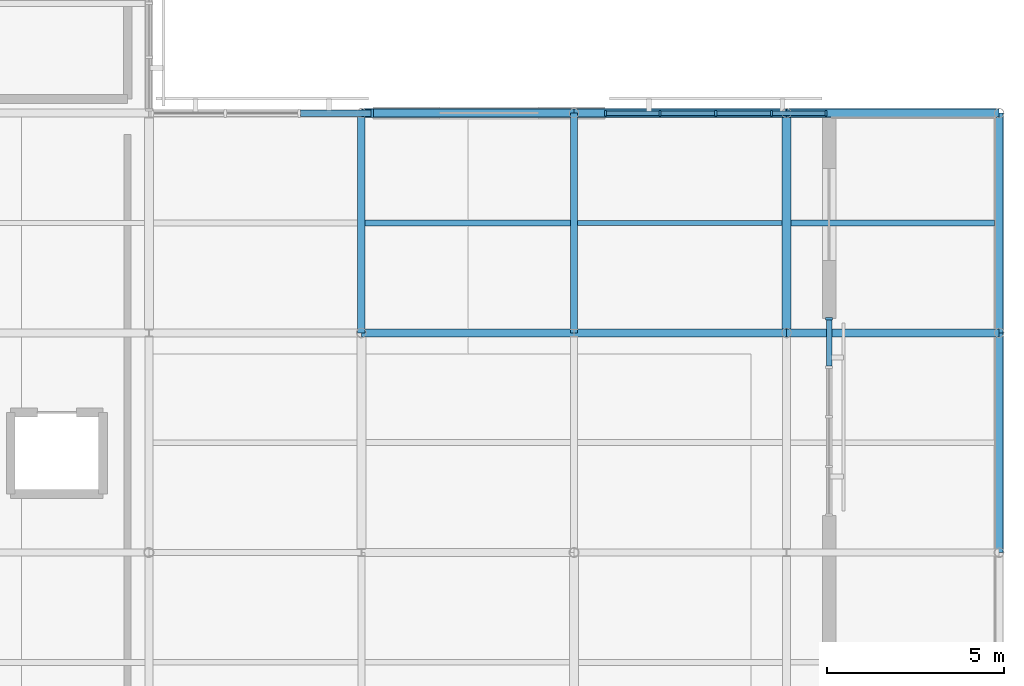
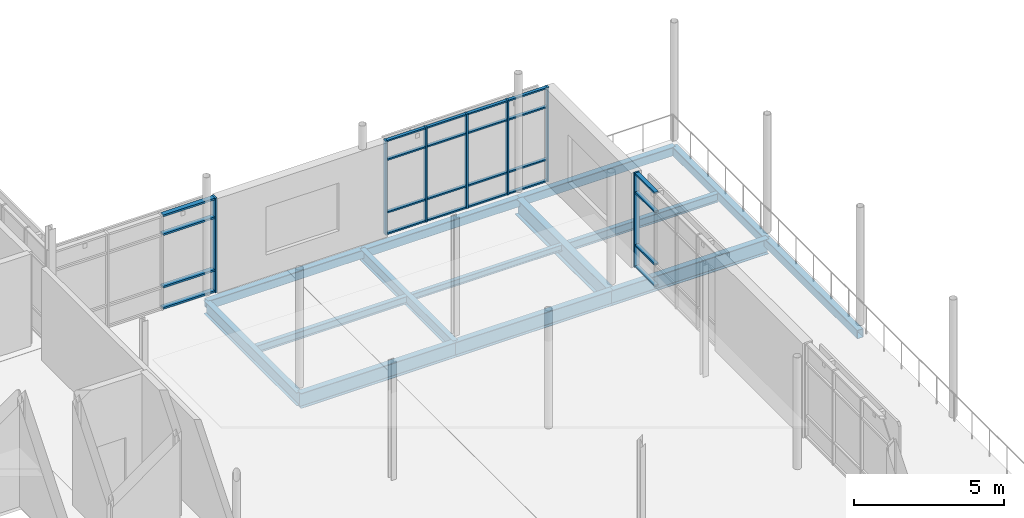
# One storey, part 37 of 66: 31 members, 14 beams, 3 elements without a shape of their own.
"""IFC4 building model written with IfcOpenShell, lengths in metres."""

from ifc_helpers import new_model, si_unit, direction, frame, origin, origin_2d, place, context, subcontext, project, spatial, rectangle, hollow_rectangle, i_section, extrude, material, layer, layer_set, material_profile, profile_set, type_object, element, aggregate, save


model = new_model("IFC4")

# Units and contexts
model_context = context("Model", 3, precision=1e-05, world=origin(), true_north=direction((0.0, 1.0)))
body_context = subcontext(model_context, "Body", "Model", "MODEL_VIEW")
ifc_project = project(units=[si_unit("LENGTHUNIT", "METRE"), si_unit("AREAUNIT", "SQUARE_METRE"), si_unit("VOLUMEUNIT", "CUBIC_METRE"), si_unit("PLANEANGLEUNIT", "RADIAN"), si_unit("MASSUNIT", "GRAM", prefix="KILO")], contexts=[model_context])

# Site, building, storey
site_placement = place(None, origin())
site = spatial("IfcSite", under=ifc_project, at=site_placement, CompositionType="ELEMENT")
building_placement = place(site_placement, origin())
building = spatial("IfcBuilding", under=site, at=building_placement, Name="Mirzam Square Science Centre", CompositionType="ELEMENT")
storey_placement = place(building_placement, frame((0.0, 0.0, 15.60009765625)))
storey = spatial("IfcBuildingStorey", under=building, at=storey_placement, Name="L03", CompositionType="ELEMENT", Elevation=15.60009765625)

# Beams
ifc_material_1 = material(Name="Steel S355", Category="steel")
ifc_material_profile_1 = material_profile(ifc_material_1, i_section(OverallWidth=0.19140625, OverallDepth=0.4599609375, WebThickness=0.010009765625, FlangeThickness=0.01611328125, FilletRadius=0.01025390625, at=origin_2d()), Name="457x191x82UB")
ifc_profile_set_1 = profile_set([ifc_material_profile_1], Name="Steel S355")
beam_type_1 = type_object("IfcBeamType", Name="BM-UB457", PredefinedType="BEAM", material=ifc_profile_set_1)
beam_1_placement = place(storey_placement, frame((150.0, 80.60009765625, -0.47998046875), z_axis=(0.0, 1.0, 0.0), x_axis=(-1.0, 0.0, 0.0)))
element("IfcBeam", 1, at=beam_1_placement, inside=storey, type_object=beam_type_1, Name="L03 girder Y26-14", PredefinedType="BEAM", context=body_context, shape_type="SweptSolid", body=[
    extrude(i_section(OverallWidth=0.19140625, OverallDepth=0.4599609375, WebThickness=0.010009765625, FlangeThickness=0.01611328125, FilletRadius=0.01025390625, at=origin_2d()), origin(), (0.0, 0.0, 1.0), 6.199951171875),
])
ifc_material_profile_2 = material_profile(ifc_material_1, i_section(OverallWidth=0.2099609375, OverallDepth=0.53662109375, WebThickness=0.0107421875, FlangeThickness=0.017333984375, FilletRadius=0.0126953125, at=origin_2d()), Name="533x210x101UB")
ifc_profile_set_2 = profile_set([ifc_material_profile_2], Name="Steel S355")
beam_type_2 = type_object("IfcBeamType", Name="BM-UB533", PredefinedType="BEAM", material=ifc_profile_set_2)
beam_2_placement = place(storey_placement, frame((144.0, 80.60009765625, -0.5185546875), z_axis=(0.0, 1.0, 0.0), x_axis=(-1.0, 0.0, 0.0)))
element("IfcBeam", 2, at=beam_2_placement, inside=storey, type_object=beam_type_2, Name="L03 girder Y25-14", PredefinedType="BEAM", context=body_context, shape_type="SweptSolid", body=[
    extrude(i_section(OverallWidth=0.2099609375, OverallDepth=0.53662109375, WebThickness=0.0107421875, FlangeThickness=0.017333984375, FilletRadius=0.0126953125, at=origin_2d()), origin(), (0.0, 0.0, 1.0), 6.199951171875),
])
ifc_material_profile_3 = material_profile(ifc_material_1, i_section(OverallWidth=0.22900390625, OverallDepth=0.6123046875, WebThickness=0.011962890625, FlangeThickness=0.01953125, FilletRadius=0.0126953125, at=origin_2d()), Name="610x229x125UB")
ifc_profile_set_3 = profile_set([ifc_material_profile_3], Name="Steel S355")
beam_type_3 = type_object("IfcBeamType", Name="BM-UB610", PredefinedType="BEAM", material=ifc_profile_set_3)
for number, where, z_axis, x_axis, name in (
    (3, (144.0, 80.60009765625, -0.55615234375), (1.0, 0.0, 0.0), (0.0, 1.0, 0.0), "L03 girder X25-14"),
    (4, (150.0, 80.60009765625, -0.55615234375), (1.0, 0.0, 0.0), (0.0, 1.0, 0.0), "L03 girder X26-14"),
    (5, (156.0, 80.60009765625, -0.55615234375), (1.0, 0.0, 0.0), (0.0, 1.0, 0.0), "L03 girder X27-14"),
):
    element("IfcBeam", number, at=place(storey_placement, frame(where, z_axis=z_axis, x_axis=x_axis)), inside=storey, type_object=beam_type_3, Name=name, PredefinedType="BEAM", context=body_context, shape_type="SweptSolid", body=[
        extrude(i_section(OverallWidth=0.22900390625, OverallDepth=0.6123046875, WebThickness=0.011962890625, FlangeThickness=0.01953125, FilletRadius=0.0126953125, at=origin_2d()), origin(), (0.0, 0.0, 1.0), 6.0),
    ])
ifc_material_profile_4 = material_profile(ifc_material_1, i_section(OverallWidth=0.25439453125, OverallDepth=0.6875, WebThickness=0.01318359375, FlangeThickness=0.02099609375, FilletRadius=0.01513671875, at=origin_2d()), Name="686x254x152UB")
ifc_profile_set_4 = profile_set([ifc_material_profile_4], Name="Steel S355")
beam_type_4 = type_object("IfcBeamType", Name="BM-UB686", PredefinedType="BEAM", material=ifc_profile_set_4)
beam_3_placement = place(storey_placement, frame((156.0, 80.60009765625, -0.593994140625), z_axis=(0.0, 1.0, 0.0), x_axis=(-1.0, 0.0, 0.0)))
element("IfcBeam", 6, at=beam_3_placement, inside=storey, type_object=beam_type_4, Name="L03 girder Y27-14", PredefinedType="BEAM", context=body_context, shape_type="SweptSolid", body=[
    extrude(i_section(OverallWidth=0.25439453125, OverallDepth=0.6875, WebThickness=0.01318359375, FlangeThickness=0.02099609375, FilletRadius=0.01513671875, at=origin_2d()), origin(), (0.0, 0.0, 1.0), 6.199951171875),
])

# Curtain wall, members
ifc_material_2 = material(Name="Anodised Aluminium and Low-E Solar Glass", Category="aluminium")
ifc_layer_1 = layer(ifc_material_2, 0.159912109375)
ifc_layer_set_1 = layer_set([ifc_layer_1], Name="CW-COURT-B")
curtain_wall_type_1 = type_object("IfcCurtainWallType", Name="CW-COURT-B", PredefinedType="USERDEFINED", material=ifc_layer_set_1)
curtain_wall_1_placement = place(storey_placement, origin())
curtain_wall_1 = element("IfcCurtainWall", 7, at=curtain_wall_1_placement, inside=storey, type_object=curtain_wall_type_1, Name="L03 unitised curtain wall 130", ObjectType="UNITISED CURTAIN WALL", PredefinedType="USERDEFINED")
ifc_material_3 = material(Name="Anodised Architectural Aluminium 6063-T6", Category="aluminium")
ifc_material_profile_5 = material_profile(ifc_material_3, rectangle(XDim=0.06005859375, YDim=0.159912109375, at=origin_2d()), Name="ALU-MULL-160x60x4")
ifc_profile_set_5 = profile_set([ifc_material_profile_5], Name="Anodised Architectural Aluminium 6063-T6")
member_type_1 = type_object("IfcMemberType", Name="CWM-160", PredefinedType="MULLION", material=ifc_profile_set_5)
member_1_placement = place(storey_placement, frame((157.114990234375, 86.800048828125, 0.0), z_axis=(0.0, 0.0, 1.0), x_axis=(-1.0, 0.0, 0.0)))
member_1 = element("IfcMember", 8, at=member_1_placement, type_object=member_type_1, Name="CW-04 mullion 1", PredefinedType="MULLION", context=body_context, shape_type="SweptSolid", body=[
    extrude(rectangle(XDim=0.06005859375, YDim=0.159912109375, at=origin_2d()), origin(), (0.0, 0.0, 1.0), 3.83984375),
])
member_2_placement = place(storey_placement, frame((155.572509765625, 86.800048828125, 0.0), z_axis=(0.0, 0.0, 1.0), x_axis=(-1.0, 0.0, 0.0)))
member_2 = element("IfcMember", 9, at=member_2_placement, type_object=member_type_1, Name="CW-04 mullion 2", PredefinedType="MULLION", context=body_context, shape_type="SweptSolid", body=[
    extrude(rectangle(XDim=0.06005859375, YDim=0.159912109375, at=origin_2d()), origin(), (0.0, 0.0, 1.0), 3.83984375),
])
member_3_placement = place(storey_placement, frame((154.0, 86.800048828125, 0.0), z_axis=(0.0, 0.0, 1.0), x_axis=(-1.0, 0.0, 0.0)))
member_3 = element("IfcMember", 10, at=member_3_placement, type_object=member_type_1, Name="CW-04 mullion 3", PredefinedType="MULLION", context=body_context, shape_type="SweptSolid", body=[
    extrude(rectangle(XDim=0.06005859375, YDim=0.159912109375, at=origin_2d()), origin(), (0.0, 0.0, 1.0), 3.83984375),
])
member_4_placement = place(storey_placement, frame((152.427490234375, 86.800048828125, 0.0), z_axis=(0.0, 0.0, 1.0), x_axis=(-1.0, 0.0, 0.0)))
member_4 = element("IfcMember", 11, at=member_4_placement, type_object=member_type_1, Name="CW-04 mullion 4", PredefinedType="MULLION", context=body_context, shape_type="SweptSolid", body=[
    extrude(rectangle(XDim=0.06005859375, YDim=0.159912109375, at=origin_2d()), origin(), (0.0, 0.0, 1.0), 3.83984375),
])
member_5_placement = place(storey_placement, frame((150.885009765625, 86.800048828125, 0.0), z_axis=(0.0, 0.0, 1.0), x_axis=(-1.0, 0.0, 0.0)))
member_5 = element("IfcMember", 12, at=member_5_placement, type_object=member_type_1, Name="CW-04 mullion 5", PredefinedType="MULLION", context=body_context, shape_type="SweptSolid", body=[
    extrude(rectangle(XDim=0.06005859375, YDim=0.159912109375, at=origin_2d()), origin(), (0.0, 0.0, 1.0), 3.83984375),
])

# Curtain wall, member
ifc_layer_2 = layer(ifc_material_2, 0.179931640625)
ifc_layer_set_2 = layer_set([ifc_layer_2], Name="CW-LINK-A")
curtain_wall_type_2 = type_object("IfcCurtainWallType", Name="CW-LINK-A", PredefinedType="USERDEFINED", material=ifc_layer_set_2)
curtain_wall_2_placement = place(storey_placement, origin())
curtain_wall_2 = element("IfcCurtainWall", 13, at=curtain_wall_2_placement, inside=storey, type_object=curtain_wall_type_2, Name="L03 unitised curtain wall 129", ObjectType="UNITISED CURTAIN WALL", PredefinedType="USERDEFINED")
ifc_material_profile_6 = material_profile(ifc_material_3, rectangle(XDim=0.06494140625, YDim=0.199951171875, at=origin_2d()), Name="ALU-MULL-200x65x5")
ifc_profile_set_6 = profile_set([ifc_material_profile_6], Name="Anodised Architectural Aluminium 6063-T6")
member_type_2 = type_object("IfcMemberType", Name="CWM-200", PredefinedType="MULLION", material=ifc_profile_set_6)
member_6_placement = place(storey_placement, frame((157.199951171875, 80.998291015625, 0.0), z_axis=(0.0, 0.0, 1.0), x_axis=(0.0, 1.0, 0.0)))
member_6 = element("IfcMember", 14, at=member_6_placement, type_object=member_type_2, Name="CW-08 mullion 5", PredefinedType="MULLION", context=body_context, shape_type="SweptSolid", body=[
    extrude(rectangle(XDim=0.06494140625, YDim=0.199951171875, at=origin_2d()), origin(), (0.0, 0.0, 1.0), 3.83984375),
])

ifc_layer_3 = layer(ifc_material_2, 0.239990234375)
ifc_layer_set_3 = layer_set([ifc_layer_3], Name="CW-EAST-B")
curtain_wall_type_3 = type_object("IfcCurtainWallType", Name="CW-EAST-B", PredefinedType="USERDEFINED", material=ifc_layer_set_3)
curtain_wall_3_placement = place(storey_placement, origin())
curtain_wall_3 = element("IfcCurtainWall", 15, at=curtain_wall_3_placement, inside=storey, type_object=curtain_wall_type_3, Name="L03 unitised curtain wall 131", ObjectType="UNITISED CURTAIN WALL", PredefinedType="USERDEFINED")
ifc_material_profile_7 = material_profile(ifc_material_3, rectangle(XDim=0.074951171875, YDim=0.239990234375, at=origin_2d()), Name="ALU-MULL-240x75x5")
ifc_profile_set_7 = profile_set([ifc_material_profile_7], Name="Anodised Architectural Aluminium 6063-T6")
member_type_3 = type_object("IfcMemberType", Name="CWM-240", PredefinedType="MULLION", material=ifc_profile_set_7)
member_7_placement = place(storey_placement, frame((144.3076171875, 86.800048828125, 0.0), z_axis=(0.0, 0.0, 1.0), x_axis=(-1.0, 0.0, 0.0)))
member_7 = element("IfcMember", 16, at=member_7_placement, type_object=member_type_3, Name="CW-06 mullion 1", PredefinedType="MULLION", context=body_context, shape_type="SweptSolid", body=[
    extrude(rectangle(XDim=0.074951171875, YDim=0.239990234375, at=origin_2d()), origin(), (0.0, 0.0, 1.0), 3.83984375),
])

# Member
ifc_material_profile_8 = material_profile(ifc_material_3, rectangle(XDim=0.1201171875, YDim=0.06005859375, at=origin_2d()), Name="ALU-TRAN-120x60x4")
ifc_profile_set_8 = profile_set([ifc_material_profile_8], Name="Anodised Architectural Aluminium 6063-T6")
member_type_4 = type_object("IfcMemberType", Name="CWT-120", PredefinedType="USERDEFINED", material=ifc_profile_set_8)
member_8_placement = place(storey_placement, frame((157.0849609375, 86.800048828125, 0.02978515625), z_axis=(-1.0, 0.0, 0.0), x_axis=(0.0, -1.0, 0.0)))
member_8 = element("IfcMember", 17, at=member_8_placement, type_object=member_type_4, Name="CW-04 transom 1.1", ObjectType="TRANSOM", PredefinedType="USERDEFINED", context=body_context, shape_type="SweptSolid", body=[
    extrude(rectangle(XDim=0.1201171875, YDim=0.06005859375, at=origin_2d()), origin(), (0.0, 0.0, 1.0), 1.482421875),
])

member_9_placement = place(storey_placement, frame((157.0849609375, 86.800048828125, 0.89990234375), z_axis=(-1.0, 0.0, 0.0), x_axis=(0.0, -1.0, 0.0)))
member_9 = element("IfcMember", 18, at=member_9_placement, type_object=member_type_4, Name="CW-04 transom 1.2", ObjectType="TRANSOM", PredefinedType="USERDEFINED", context=body_context, shape_type="SweptSolid", body=[
    extrude(rectangle(XDim=0.1201171875, YDim=0.06005859375, at=origin_2d()), origin(), (0.0, 0.0, 1.0), 1.482421875),
])

member_10_placement = place(storey_placement, frame((157.0849609375, 86.800048828125, 3.039794921875), z_axis=(-1.0, 0.0, 0.0), x_axis=(0.0, -1.0, 0.0)))
member_10 = element("IfcMember", 19, at=member_10_placement, type_object=member_type_4, Name="CW-04 transom 1.3", ObjectType="TRANSOM", PredefinedType="USERDEFINED", context=body_context, shape_type="SweptSolid", body=[
    extrude(rectangle(XDim=0.1201171875, YDim=0.06005859375, at=origin_2d()), origin(), (0.0, 0.0, 1.0), 1.482421875),
])

member_11_placement = place(storey_placement, frame((157.0849609375, 86.800048828125, 3.809814453125), z_axis=(-1.0, 0.0, 0.0), x_axis=(0.0, -1.0, 0.0)))
member_11 = element("IfcMember", 20, at=member_11_placement, type_object=member_type_4, Name="CW-04 transom 1.4", ObjectType="TRANSOM", PredefinedType="USERDEFINED", context=body_context, shape_type="SweptSolid", body=[
    extrude(rectangle(XDim=0.1201171875, YDim=0.06005859375, at=origin_2d()), origin(), (0.0, 0.0, 1.0), 1.482421875),
])

member_12_placement = place(storey_placement, frame((155.54248046875, 86.800048828125, 0.02978515625), z_axis=(-1.0, 0.0, 0.0), x_axis=(0.0, -1.0, 0.0)))
member_12 = element("IfcMember", 21, at=member_12_placement, type_object=member_type_4, Name="CW-04 transom 2.1", ObjectType="TRANSOM", PredefinedType="USERDEFINED", context=body_context, shape_type="SweptSolid", body=[
    extrude(rectangle(XDim=0.1201171875, YDim=0.06005859375, at=origin_2d()), origin(), (0.0, 0.0, 1.0), 1.512451171875),
])

member_13_placement = place(storey_placement, frame((155.54248046875, 86.800048828125, 0.89990234375), z_axis=(-1.0, 0.0, 0.0), x_axis=(0.0, -1.0, 0.0)))
member_13 = element("IfcMember", 22, at=member_13_placement, type_object=member_type_4, Name="CW-04 transom 2.2", ObjectType="TRANSOM", PredefinedType="USERDEFINED", context=body_context, shape_type="SweptSolid", body=[
    extrude(rectangle(XDim=0.1201171875, YDim=0.06005859375, at=origin_2d()), origin(), (0.0, 0.0, 1.0), 1.512451171875),
])

member_14_placement = place(storey_placement, frame((155.54248046875, 86.800048828125, 3.039794921875), z_axis=(-1.0, 0.0, 0.0), x_axis=(0.0, -1.0, 0.0)))
member_14 = element("IfcMember", 23, at=member_14_placement, type_object=member_type_4, Name="CW-04 transom 2.3", ObjectType="TRANSOM", PredefinedType="USERDEFINED", context=body_context, shape_type="SweptSolid", body=[
    extrude(rectangle(XDim=0.1201171875, YDim=0.06005859375, at=origin_2d()), origin(), (0.0, 0.0, 1.0), 1.512451171875),
])

member_15_placement = place(storey_placement, frame((155.54248046875, 86.800048828125, 3.809814453125), z_axis=(-1.0, 0.0, 0.0), x_axis=(0.0, -1.0, 0.0)))
member_15 = element("IfcMember", 24, at=member_15_placement, type_object=member_type_4, Name="CW-04 transom 2.4", ObjectType="TRANSOM", PredefinedType="USERDEFINED", context=body_context, shape_type="SweptSolid", body=[
    extrude(rectangle(XDim=0.1201171875, YDim=0.06005859375, at=origin_2d()), origin(), (0.0, 0.0, 1.0), 1.512451171875),
])

member_16_placement = place(storey_placement, frame((153.969970703125, 86.800048828125, 0.02978515625), z_axis=(-1.0, 0.0, 0.0), x_axis=(0.0, -1.0, 0.0)))
member_16 = element("IfcMember", 25, at=member_16_placement, type_object=member_type_4, Name="CW-04 transom 3.1", ObjectType="TRANSOM", PredefinedType="USERDEFINED", context=body_context, shape_type="SweptSolid", body=[
    extrude(rectangle(XDim=0.1201171875, YDim=0.06005859375, at=origin_2d()), origin(), (0.0, 0.0, 1.0), 1.512451171875),
])

member_17_placement = place(storey_placement, frame((153.969970703125, 86.800048828125, 0.89990234375), z_axis=(-1.0, 0.0, 0.0), x_axis=(0.0, -1.0, 0.0)))
member_17 = element("IfcMember", 26, at=member_17_placement, type_object=member_type_4, Name="CW-04 transom 3.2", ObjectType="TRANSOM", PredefinedType="USERDEFINED", context=body_context, shape_type="SweptSolid", body=[
    extrude(rectangle(XDim=0.1201171875, YDim=0.06005859375, at=origin_2d()), origin(), (0.0, 0.0, 1.0), 1.512451171875),
])

member_18_placement = place(storey_placement, frame((153.969970703125, 86.800048828125, 3.039794921875), z_axis=(-1.0, 0.0, 0.0), x_axis=(0.0, -1.0, 0.0)))
member_18 = element("IfcMember", 27, at=member_18_placement, type_object=member_type_4, Name="CW-04 transom 3.3", ObjectType="TRANSOM", PredefinedType="USERDEFINED", context=body_context, shape_type="SweptSolid", body=[
    extrude(rectangle(XDim=0.1201171875, YDim=0.06005859375, at=origin_2d()), origin(), (0.0, 0.0, 1.0), 1.512451171875),
])

member_19_placement = place(storey_placement, frame((153.969970703125, 86.800048828125, 3.809814453125), z_axis=(-1.0, 0.0, 0.0), x_axis=(0.0, -1.0, 0.0)))
member_19 = element("IfcMember", 28, at=member_19_placement, type_object=member_type_4, Name="CW-04 transom 3.4", ObjectType="TRANSOM", PredefinedType="USERDEFINED", context=body_context, shape_type="SweptSolid", body=[
    extrude(rectangle(XDim=0.1201171875, YDim=0.06005859375, at=origin_2d()), origin(), (0.0, 0.0, 1.0), 1.512451171875),
])

member_20_placement = place(storey_placement, frame((152.3974609375, 86.800048828125, 0.02978515625), z_axis=(-1.0, 0.0, 0.0), x_axis=(0.0, -1.0, 0.0)))
member_20 = element("IfcMember", 29, at=member_20_placement, type_object=member_type_4, Name="CW-04 transom 4.1", ObjectType="TRANSOM", PredefinedType="USERDEFINED", context=body_context, shape_type="SweptSolid", body=[
    extrude(rectangle(XDim=0.1201171875, YDim=0.06005859375, at=origin_2d()), origin(), (0.0, 0.0, 1.0), 1.482421875),
])

member_21_placement = place(storey_placement, frame((152.3974609375, 86.800048828125, 0.89990234375), z_axis=(-1.0, 0.0, 0.0), x_axis=(0.0, -1.0, 0.0)))
member_21 = element("IfcMember", 30, at=member_21_placement, type_object=member_type_4, Name="CW-04 transom 4.2", ObjectType="TRANSOM", PredefinedType="USERDEFINED", context=body_context, shape_type="SweptSolid", body=[
    extrude(rectangle(XDim=0.1201171875, YDim=0.06005859375, at=origin_2d()), origin(), (0.0, 0.0, 1.0), 1.482421875),
])

member_22_placement = place(storey_placement, frame((152.3974609375, 86.800048828125, 3.039794921875), z_axis=(-1.0, 0.0, 0.0), x_axis=(0.0, -1.0, 0.0)))
member_22 = element("IfcMember", 31, at=member_22_placement, type_object=member_type_4, Name="CW-04 transom 4.3", ObjectType="TRANSOM", PredefinedType="USERDEFINED", context=body_context, shape_type="SweptSolid", body=[
    extrude(rectangle(XDim=0.1201171875, YDim=0.06005859375, at=origin_2d()), origin(), (0.0, 0.0, 1.0), 1.482421875),
])

member_23_placement = place(storey_placement, frame((152.3974609375, 86.800048828125, 3.809814453125), z_axis=(-1.0, 0.0, 0.0), x_axis=(0.0, -1.0, 0.0)))
member_23 = element("IfcMember", 32, at=member_23_placement, type_object=member_type_4, Name="CW-04 transom 4.4", ObjectType="TRANSOM", PredefinedType="USERDEFINED", context=body_context, shape_type="SweptSolid", body=[
    extrude(rectangle(XDim=0.1201171875, YDim=0.06005859375, at=origin_2d()), origin(), (0.0, 0.0, 1.0), 1.482421875),
])

aggregate(curtain_wall_1, [member_1, member_2, member_3, member_4, member_5, member_8, member_9, member_10, member_11, member_12, member_13, member_14, member_15, member_16, member_17, member_18, member_19, member_20, member_21, member_22, member_23])

ifc_material_profile_9 = material_profile(ifc_material_3, rectangle(XDim=0.14990234375, YDim=0.06494140625, at=origin_2d()), Name="ALU-TRAN-150x65x4")
ifc_profile_set_9 = profile_set([ifc_material_profile_9], Name="Anodised Architectural Aluminium 6063-T6")
member_type_5 = type_object("IfcMemberType", Name="CWT-150", PredefinedType="USERDEFINED", material=ifc_profile_set_9)
member_24_placement = place(storey_placement, frame((157.199951171875, 79.662109375, 0.032470703125), z_axis=(0.0, 1.0, 0.0), x_axis=(-1.0, 0.0, 0.0)))
member_24 = element("IfcMember", 33, at=member_24_placement, type_object=member_type_5, Name="CW-08 transom 4.1", ObjectType="TRANSOM", PredefinedType="USERDEFINED", context=body_context, shape_type="SweptSolid", body=[
    extrude(rectangle(XDim=0.14990234375, YDim=0.06494140625, at=origin_2d()), origin(), (0.0, 0.0, 1.0), 1.3037109375),
])

member_25_placement = place(storey_placement, frame((157.199951171875, 79.662109375, 0.89990234375), z_axis=(0.0, 1.0, 0.0), x_axis=(-1.0, 0.0, 0.0)))
member_25 = element("IfcMember", 34, at=member_25_placement, type_object=member_type_5, Name="CW-08 transom 4.2", ObjectType="TRANSOM", PredefinedType="USERDEFINED", context=body_context, shape_type="SweptSolid", body=[
    extrude(rectangle(XDim=0.14990234375, YDim=0.06494140625, at=origin_2d()), origin(), (0.0, 0.0, 1.0), 1.3037109375),
])

member_26_placement = place(storey_placement, frame((157.199951171875, 79.662109375, 3.039794921875), z_axis=(0.0, 1.0, 0.0), x_axis=(-1.0, 0.0, 0.0)))
member_26 = element("IfcMember", 35, at=member_26_placement, type_object=member_type_5, Name="CW-08 transom 4.3", ObjectType="TRANSOM", PredefinedType="USERDEFINED", context=body_context, shape_type="SweptSolid", body=[
    extrude(rectangle(XDim=0.14990234375, YDim=0.06494140625, at=origin_2d()), origin(), (0.0, 0.0, 1.0), 1.3037109375),
])

member_27_placement = place(storey_placement, frame((157.199951171875, 79.662109375, 3.807373046875), z_axis=(0.0, 1.0, 0.0), x_axis=(-1.0, 0.0, 0.0)))
member_27 = element("IfcMember", 36, at=member_27_placement, type_object=member_type_5, Name="CW-08 transom 4.4", ObjectType="TRANSOM", PredefinedType="USERDEFINED", context=body_context, shape_type="SweptSolid", body=[
    extrude(rectangle(XDim=0.14990234375, YDim=0.06494140625, at=origin_2d()), origin(), (0.0, 0.0, 1.0), 1.3037109375),
])

aggregate(curtain_wall_2, [member_6, member_24, member_25, member_26, member_27])

ifc_material_profile_10 = material_profile(ifc_material_3, rectangle(XDim=0.179931640625, YDim=0.074951171875, at=origin_2d()), Name="ALU-TRAN-180x75x5")
ifc_profile_set_10 = profile_set([ifc_material_profile_10], Name="Anodised Architectural Aluminium 6063-T6")
member_type_6 = type_object("IfcMemberType", Name="CWT-180", PredefinedType="USERDEFINED", material=ifc_profile_set_10)
member_28_placement = place(storey_placement, frame((144.27001953125, 86.800048828125, 0.037353515625), z_axis=(-1.0, 0.0, 0.0), x_axis=(0.0, -1.0, 0.0)))
member_28 = element("IfcMember", 37, at=member_28_placement, type_object=member_type_6, Name="CW-06 transom 1.1", ObjectType="TRANSOM", PredefinedType="USERDEFINED", context=body_context, shape_type="SweptSolid", body=[
    extrude(rectangle(XDim=0.179931640625, YDim=0.074951171875, at=origin_2d()), origin(), (0.0, 0.0, 1.0), 1.984130859375),
])

member_29_placement = place(storey_placement, frame((144.27001953125, 86.800048828125, 0.89990234375), z_axis=(-1.0, 0.0, 0.0), x_axis=(0.0, -1.0, 0.0)))
member_29 = element("IfcMember", 38, at=member_29_placement, type_object=member_type_6, Name="CW-06 transom 1.2", ObjectType="TRANSOM", PredefinedType="USERDEFINED", context=body_context, shape_type="SweptSolid", body=[
    extrude(rectangle(XDim=0.179931640625, YDim=0.074951171875, at=origin_2d()), origin(), (0.0, 0.0, 1.0), 1.984130859375),
])

member_30_placement = place(storey_placement, frame((144.27001953125, 86.800048828125, 3.039794921875), z_axis=(-1.0, 0.0, 0.0), x_axis=(0.0, -1.0, 0.0)))
member_30 = element("IfcMember", 39, at=member_30_placement, type_object=member_type_6, Name="CW-06 transom 1.3", ObjectType="TRANSOM", PredefinedType="USERDEFINED", context=body_context, shape_type="SweptSolid", body=[
    extrude(rectangle(XDim=0.179931640625, YDim=0.074951171875, at=origin_2d()), origin(), (0.0, 0.0, 1.0), 1.984130859375),
])

member_31_placement = place(storey_placement, frame((144.27001953125, 86.800048828125, 3.802490234375), z_axis=(-1.0, 0.0, 0.0), x_axis=(0.0, -1.0, 0.0)))
member_31 = element("IfcMember", 40, at=member_31_placement, type_object=member_type_6, Name="CW-06 transom 1.4", ObjectType="TRANSOM", PredefinedType="USERDEFINED", context=body_context, shape_type="SweptSolid", body=[
    extrude(rectangle(XDim=0.179931640625, YDim=0.074951171875, at=origin_2d()), origin(), (0.0, 0.0, 1.0), 1.984130859375),
])

aggregate(curtain_wall_3, [member_7, member_28, member_29, member_30, member_31])

# Beams
ifc_material_profile_11 = material_profile(ifc_material_1, i_section(OverallWidth=0.146484375, OverallDepth=0.256103515625, WebThickness=0.00634765625, FlangeThickness=0.010986328125, FilletRadius=0.007568359375, at=origin_2d()), Name="254x146x37UB")
ifc_profile_set_11 = profile_set([ifc_material_profile_11], Name="Steel S355")
beam_type_5 = type_object("IfcBeamType", Name="JS-UB254", PredefinedType="JOIST", material=ifc_profile_set_11)
beam_4_placement = place(storey_placement, frame((150.095703125, 83.699951171875, -0.378173828125), z_axis=(1.0, 0.0, 0.0), x_axis=(0.0, 1.0, 0.0)))
element("IfcBeam", 41, at=beam_4_placement, inside=storey, type_object=beam_type_5, Name="L03 composite joist 26-14", PredefinedType="JOIST", context=body_context, shape_type="SweptSolid", body=[
    extrude(i_section(OverallWidth=0.146484375, OverallDepth=0.256103515625, WebThickness=0.00634765625, FlangeThickness=0.010986328125, FilletRadius=0.007568359375, at=origin_2d()), origin(), (0.0, 0.0, 1.0), 5.777099609375),
])
ifc_material_profile_12 = material_profile(ifc_material_1, i_section(OverallWidth=0.165771484375, OverallDepth=0.306640625, WebThickness=0.006591796875, FlangeThickness=0.01171875, FilletRadius=0.0087890625, at=origin_2d()), Name="305x165x46UB")
ifc_profile_set_12 = profile_set([ifc_material_profile_12], Name="Steel S355")
beam_type_6 = type_object("IfcBeamType", Name="JS-UB305", PredefinedType="JOIST", material=ifc_profile_set_12)
beam_5_placement = place(storey_placement, frame((144.10498046875, 83.699951171875, -0.4033203125), z_axis=(1.0, 0.0, 0.0), x_axis=(0.0, 1.0, 0.0)))
element("IfcBeam", 42, at=beam_5_placement, inside=storey, type_object=beam_type_6, Name="L03 composite joist 25-14", PredefinedType="JOIST", context=body_context, shape_type="SweptSolid", body=[
    extrude(i_section(OverallWidth=0.165771484375, OverallDepth=0.306640625, WebThickness=0.006591796875, FlangeThickness=0.01171875, FilletRadius=0.0087890625, at=origin_2d()), origin(), (0.0, 0.0, 1.0), 5.79931640625),
])
ifc_material_profile_13 = material_profile(ifc_material_1, i_section(OverallWidth=0.172119140625, OverallDepth=0.35791015625, WebThickness=0.008056640625, FlangeThickness=0.012939453125, FilletRadius=0.01025390625, at=origin_2d()), Name="356x171x57UB")
ifc_profile_set_13 = profile_set([ifc_material_profile_13], Name="Steel S355")
beam_type_7 = type_object("IfcBeamType", Name="JS-UB356", PredefinedType="JOIST", material=ifc_profile_set_13)
beam_6_placement = place(storey_placement, frame((156.127197265625, 83.699951171875, -0.42919921875), z_axis=(1.0, 0.0, 0.0), x_axis=(0.0, 1.0, 0.0)))
element("IfcBeam", 43, at=beam_6_placement, inside=storey, type_object=beam_type_7, Name="L03 composite joist 27-14", PredefinedType="JOIST", context=body_context, shape_type="SweptSolid", body=[
    extrude(i_section(OverallWidth=0.172119140625, OverallDepth=0.35791015625, WebThickness=0.008056640625, FlangeThickness=0.012939453125, FilletRadius=0.01025390625, at=origin_2d()), origin(), (0.0, 0.0, 1.0), 5.747802734375),
])
ifc_material_profile_14 = material_profile(ifc_material_1, hollow_rectangle(XDim=0.25, YDim=0.35009765625, WallThickness=0.012451171875, InnerFilletRadius=0.012451171875, OuterFilletRadius=0.02490234375, at=origin_2d()), Name="350x250x12.5RHS")
ifc_profile_set_14 = profile_set([ifc_material_profile_14], Name="Steel S355")
beam_type_8 = type_object("IfcBeamType", Name="SP-RHS350", PredefinedType="SPANDREL", material=ifc_profile_set_14)
for number, where, z_axis, x_axis, name in (
    (44, (144.0, 86.800048828125, -0.425048828125), (1.0, 0.0, 0.0), (0.0, 1.0, 0.0), "L03 girder X25-15"),
    (45, (150.0, 86.800048828125, -0.425048828125), (1.0, 0.0, 0.0), (0.0, 1.0, 0.0), "L03 girder X26-15"),
    (46, (156.0, 86.800048828125, -0.425048828125), (1.0, 0.0, 0.0), (0.0, 1.0, 0.0), "L03 girder X27-15"),
):
    element("IfcBeam", number, at=place(storey_placement, frame(where, z_axis=z_axis, x_axis=x_axis)), inside=storey, type_object=beam_type_8, Name=name, PredefinedType="SPANDREL", context=body_context, shape_type="SweptSolid", body=[
        extrude(hollow_rectangle(XDim=0.25, YDim=0.35009765625, WallThickness=0.012451171875, InnerFilletRadius=0.012451171875, OuterFilletRadius=0.02490234375, at=origin_2d()), origin(), (0.0, 0.0, 1.0), 6.0),
    ])
beam_7_placement = place(storey_placement, frame((162.0, 74.39990234375, -0.425048828125), z_axis=(0.0, 1.0, 0.0), x_axis=(-1.0, 0.0, 0.0)))
element("IfcBeam", 47, at=beam_7_placement, inside=storey, type_object=beam_type_8, Name="L03 girder Y28-13", PredefinedType="SPANDREL", context=body_context, shape_type="SweptSolid", body=[
    extrude(hollow_rectangle(XDim=0.25, YDim=0.35009765625, WallThickness=0.012451171875, InnerFilletRadius=0.012451171875, OuterFilletRadius=0.02490234375, at=origin_2d()), origin(), (0.0, 0.0, 1.0), 6.2001953125),
])
beam_8_placement = place(storey_placement, frame((162.0, 80.60009765625, -0.425048828125), z_axis=(0.0, 1.0, 0.0), x_axis=(-1.0, 0.0, 0.0)))
element("IfcBeam", 48, at=beam_8_placement, inside=storey, type_object=beam_type_8, Name="L03 girder Y28-14", PredefinedType="SPANDREL", context=body_context, shape_type="SweptSolid", body=[
    extrude(hollow_rectangle(XDim=0.25, YDim=0.35009765625, WallThickness=0.012451171875, InnerFilletRadius=0.012451171875, OuterFilletRadius=0.02490234375, at=origin_2d()), origin(), (0.0, 0.0, 1.0), 6.199951171875),
])

save(model, "model.ifc")
